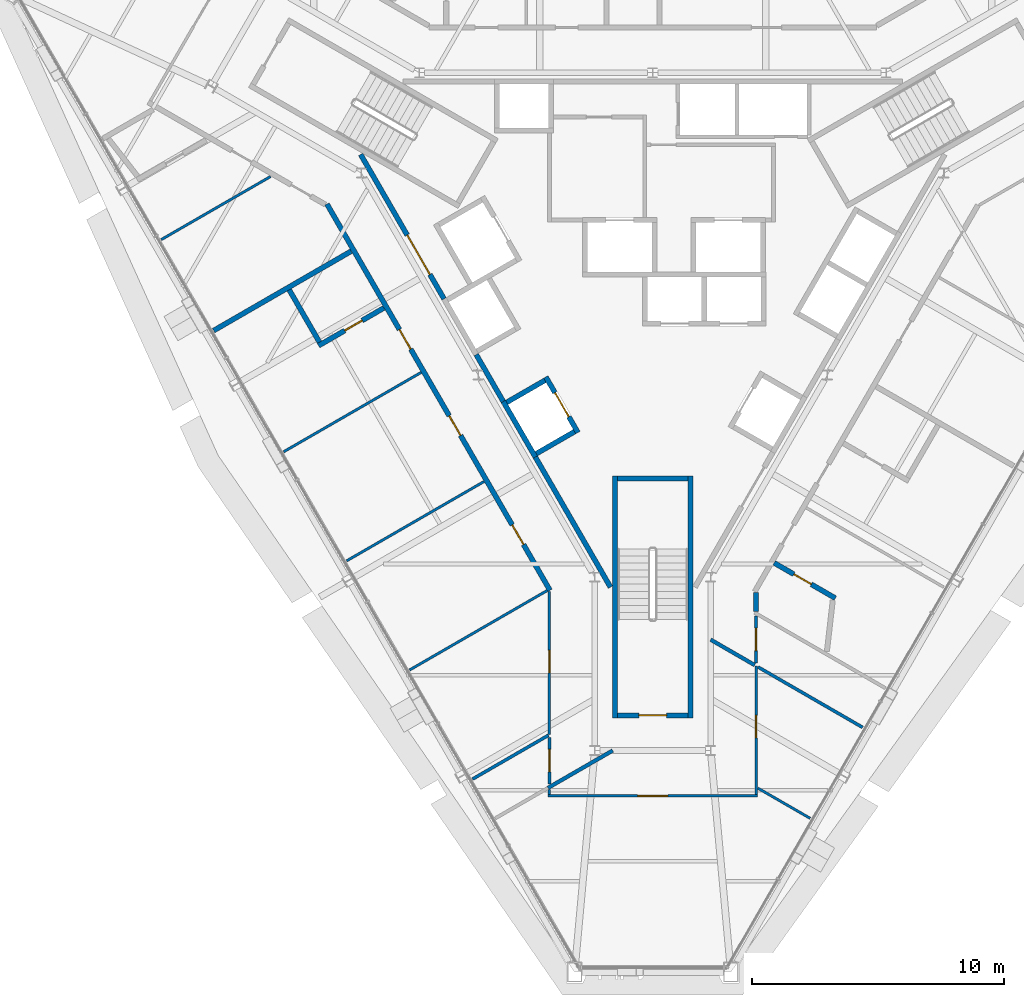
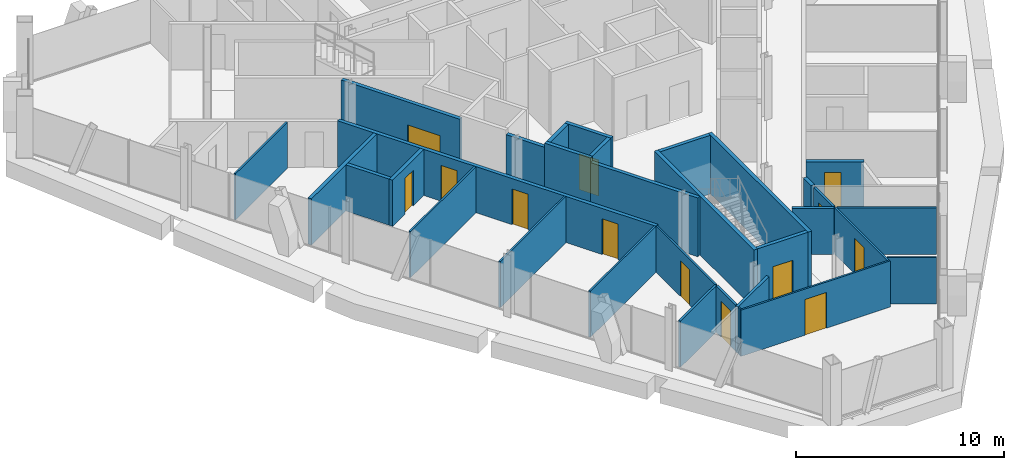
# One storey, part 11 of 16: 32 walls, 13 doors, 13 openings.
"""IFC4 building model written with IfcOpenShell, lengths in metres."""

from ifc_helpers import new_model, si_unit, direction, frame, frame_2d, origin, place, context, subcontext, project, spatial, rectangle, extrude, material, layer, layer_set, type_object, element, fill, save


model = new_model("IFC4")

# Units and contexts
model_context = context("Model", 3, precision=1e-05, world=origin(), true_north=direction((0.0, 1.0)))
body_context = subcontext(model_context, "Body", "Model", "MODEL_VIEW")
ifc_project = project(units=[si_unit("LENGTHUNIT", "METRE"), si_unit("AREAUNIT", "SQUARE_METRE"), si_unit("VOLUMEUNIT", "CUBIC_METRE"), si_unit("PLANEANGLEUNIT", "RADIAN"), si_unit("MASSUNIT", "GRAM", prefix="KILO")], contexts=[model_context])

# Site, building, storey
site_placement = place(None, origin())
site = spatial("IfcSite", under=ifc_project, at=site_placement, CompositionType="ELEMENT")
building_placement = place(site_placement, origin())
building = spatial("IfcBuilding", under=site, at=building_placement, Name="Verrane Prism Tower", CompositionType="ELEMENT")
storey_placement = place(building_placement, frame((0.0, 0.0, 239.699951171875)))
storey = spatial("IfcBuildingStorey", under=building, at=storey_placement, Name="L60", CompositionType="ELEMENT", Elevation=239.699951171875)

# Wall, opening, door
ifc_material_1 = material(Name="Gypsum board partition", Category="other")
ifc_layer_1 = layer(ifc_material_1, 0.199951171875)
ifc_layer_set_1 = layer_set([ifc_layer_1], Name="CW-200 core boundary wall 2 h")
wall_type_1 = type_object("IfcWallType", Name="CW-200 core boundary wall 2 h", PredefinedType="PARTITIONING", material=ifc_layer_set_1)
wall_1_placement = place(storey_placement, frame((-11.590576171875, 4.7548828125, 0.0), z_axis=(0.0, 0.0, 1.0), x_axis=(0.500043977787, -0.866000011708, 0.0)))
wall_1 = element("IfcWall", 1, at=wall_1_placement, inside=storey, type_object=wall_type_1, Name="Core boundary wall CW3-001", PredefinedType="PARTITIONING", context=body_context, shape_type="SweptSolid", body=[
    extrude(rectangle(XDim=6.61669921875, YDim=0.199951171875, at=frame_2d((3.308349609375, 0.0))), origin(), (0.0, 0.0, 1.0), 3.449951171875),
])
opening_1_placement = place(wall_1_placement, frame((3.695068359375, 0.0, 0.0)))
opening_1 = element("IfcOpeningElement", 2, at=opening_1_placement, cuts=wall_1, Name="Opening D59510", PredefinedType="OPENING", context=body_context, shape_type="SweptSolid", body=[
    extrude(rectangle(XDim=1.800048828125, YDim=2.10009765625, at=frame_2d((0.89990234375, 1.050048828125))), frame((0.0, 0.10986328125, 0.0), z_axis=(0.0, -1.0, 0.0), x_axis=(1.0, 0.0, 0.0)), (0.0, 0.0, 1.0), 0.219970703125),
])
ifc_material_2 = material(Name="Timber veneered door leaf", Category="wood")
door_type_1 = type_object("IfcDoorType", Name="DR-1800x2100 FD60 double leaf lift lobby", OperationType="NOTDEFINED", PredefinedType="DOOR", material=ifc_material_2)
door_1_placement = place(opening_1_placement, origin())
door_1 = element("IfcDoor", 3, at=door_1_placement, inside=storey, type_object=door_type_1, Name="Lift lobby door D59510", OperationType="DOUBLE_DOOR_SINGLE_SWING", OverallHeight=2.10009765625, OverallWidth=1.800048828125, PredefinedType="DOOR", context=body_context, shape_type="SweptSolid", body=[
    extrude(rectangle(XDim=1.800048828125, YDim=2.10009765625, at=frame_2d((0.89990234375, 1.050048828125))), frame((0.0, 0.02490234375, 0.0), z_axis=(0.0, -1.0, 0.0), x_axis=(1.0, 0.0, 0.0)), (0.0, 0.0, 1.0), 0.050048828125),
])
fill(opening_1, door_1)

# Walls
wall_2_placement = place(storey_placement, frame((-7.0048828125, -3.18701171875, 0.0), z_axis=(0.0, 0.0, 1.0), x_axis=(0.499689606989, -0.866204535123, 0.0)))
element("IfcWall", 4, at=wall_2_placement, inside=storey, type_object=wall_type_1, Name="Core boundary wall CW3-003", PredefinedType="PARTITIONING", context=body_context, shape_type="SweptSolid", body=[
    extrude(rectangle(XDim=2.144775390625, YDim=0.199951171875, at=frame_2d((1.072265625, 0.0))), origin(), (0.0, 0.0, 1.0), 3.449951171875),
])
wall_3_placement = place(storey_placement, frame((-4.655029296875, -7.257080078125, 0.0), z_axis=(0.0, 0.0, 1.0), x_axis=(0.499966124405, -0.866044960985, 0.0)))
element("IfcWall", 5, at=wall_3_placement, inside=storey, type_object=wall_type_1, Name="Core boundary wall CW3-004", PredefinedType="PARTITIONING", context=body_context, shape_type="SweptSolid", body=[
    extrude(rectangle(XDim=5.95556640625, YDim=0.199951171875, at=frame_2d((2.977783203125, 0.0))), origin(), (0.0, 0.0, 1.0), 3.449951171875),
])

# Wall, opening, door
ifc_material_3 = material(Name="Concrete C40/50", Category="concrete")
ifc_layer_2 = layer(ifc_material_3, 0.199951171875)
ifc_layer_set_2 = layer_set([ifc_layer_2], Name="CW-200 stair core wall concrete C40/50 3 h")
wall_type_2 = type_object("IfcWallType", Name="CW-200 stair core wall concrete C40/50 3 h", PredefinedType="PARTITIONING", material=ifc_layer_set_2)
wall_4_placement = place(storey_placement, frame((-1.39990234375, -17.5, 0.0), z_axis=(0.0, 0.0, 1.0), x_axis=(1.0, 0.0, 0.0)))
wall_4 = element("IfcWall", 6, at=wall_4_placement, inside=storey, type_object=wall_type_2, Name="Stair 3 enclosure wall", PredefinedType="PARTITIONING", context=body_context, shape_type="SweptSolid", body=[
    extrude(rectangle(XDim=2.7998046875, YDim=0.199951171875, at=frame_2d((1.39990234375, 0.0))), origin(), (0.0, 0.0, 1.0), 3.449951171875),
])
opening_2_placement = place(wall_4_placement, frame((0.85009765625, 0.0, 0.0)))
opening_2 = element("IfcOpeningElement", 7, at=opening_2_placement, cuts=wall_4, Name="Opening D59502", PredefinedType="OPENING", context=body_context, shape_type="SweptSolid", body=[
    extrude(rectangle(XDim=1.10009765625, YDim=2.10009765625, at=frame_2d((0.550048828125, 1.050048828125))), frame((0.0, 0.10986328125, 0.0), z_axis=(0.0, -1.0, 0.0), x_axis=(1.0, 0.0, 0.0)), (0.0, 0.0, 1.0), 0.219970703125),
])
ifc_material_4 = material(Name="Timber veneered door leaf", Category="wood")
door_type_2 = type_object("IfcDoorType", Name="DR-1100x2100 FD90 single leaf stair", OperationType="NOTDEFINED", PredefinedType="DOOR", material=ifc_material_4)
door_2_placement = place(opening_2_placement, origin())
door_2 = element("IfcDoor", 8, at=door_2_placement, inside=storey, type_object=door_type_2, Name="Stair 3 door", OperationType="SINGLE_SWING_LEFT", OverallHeight=2.10009765625, OverallWidth=1.10009765625, PredefinedType="DOOR", context=body_context, shape_type="SweptSolid", body=[
    extrude(rectangle(XDim=1.10009765625, YDim=2.10009765625, at=frame_2d((0.550048828125, 1.050048828125))), frame((0.0, 0.02490234375, 0.0), z_axis=(0.0, -1.0, 0.0), x_axis=(1.0, 0.0, 0.0)), (0.0, 0.0, 1.0), 0.050048828125),
])
fill(opening_2, door_2)

# Walls
for number, where, z_axis, x_axis, name in (
    (9, (1.5, -8.0, 0.0), (0.0, 0.0, 1.0), (0.0, -1.0, 0.0), "Stair 3 enclosure wall"),
    (10, (-1.5, -8.0, 0.0), (0.0, 0.0, 1.0), (0.0, -1.0, 0.0), "Stair 3 enclosure wall"),
):
    element("IfcWall", number, at=place(storey_placement, frame(where, z_axis=z_axis, x_axis=x_axis)), inside=storey, type_object=wall_type_2, Name=name, PredefinedType="PARTITIONING", context=body_context, shape_type="SweptSolid", body=[
        extrude(rectangle(XDim=9.60009765625, YDim=0.199951171875, at=frame_2d((4.800048828125, 0.0))), origin(), (0.0, 0.0, 1.0), 3.449951171875),
    ])
wall_5_placement = place(storey_placement, frame((-1.39990234375, -8.10009765625, 0.0), z_axis=(0.0, 0.0, 1.0), x_axis=(1.0, 0.0, 0.0)))
element("IfcWall", 11, at=wall_5_placement, inside=storey, type_object=wall_type_2, Name="Stair 3 enclosure wall", PredefinedType="PARTITIONING", context=body_context, shape_type="SweptSolid", body=[
    extrude(rectangle(XDim=2.7998046875, YDim=0.199951171875, at=frame_2d((1.39990234375, 0.0))), origin(), (0.0, 0.0, 1.0), 3.449951171875),
])
ifc_material_5 = material(Name="Gypsum board shaft wall assembly", Category="other")
ifc_layer_3 = layer(ifc_material_5, 0.199951171875)
ifc_layer_set_3 = layer_set([ifc_layer_3], Name="HW-200 lift shaft wall 2 h")
wall_type_3 = type_object("IfcWallType", Name="HW-200 lift shaft wall 2 h", PredefinedType="PARTITIONING", material=ifc_layer_set_3)
for number, where, z_axis, x_axis, name in (
    (12, (-4.61962890625, -7.118408203125, 0.0), (0.0, 0.0, 1.0), (0.866036909293, 0.499980071345, 0.0), "Lift shaft wall"),
    (13, (-5.794677734375, -5.083251953125, 0.0), (0.0, 0.0, 1.0), (0.866036909293, 0.499980071345, 0.0), "Lift shaft wall"),
):
    element("IfcWall", number, at=place(storey_placement, frame(where, z_axis=z_axis, x_axis=x_axis)), inside=storey, type_object=wall_type_3, Name=name, PredefinedType="PARTITIONING", context=body_context, shape_type="SweptSolid", body=[
        extrude(rectangle(XDim=1.75, YDim=0.199951171875, at=frame_2d((0.875, 0.0))), origin(), (0.0, 0.0, 1.0), 3.699951171875),
    ])

# Wall, opening, door
wall_6_placement = place(storey_placement, frame((-2.967529296875, -6.280029296875, 0.0), z_axis=(0.0, 0.0, 1.0), x_axis=(-0.499990435942, 0.866030925526, 0.0)))
wall_6 = element("IfcWall", 14, at=wall_6_placement, inside=storey, type_object=wall_type_3, Name="Lift shaft wall", PredefinedType="PARTITIONING", context=body_context, shape_type="SweptSolid", body=[
    extrude(rectangle(XDim=2.5498046875, YDim=0.199951171875, at=frame_2d((1.27490234375, 0.0))), origin(), (0.0, 0.0, 1.0), 3.699951171875),
])
opening_3_placement = place(wall_6_placement, frame((0.72509765625, 0.0, 0.0)))
opening_3 = element("IfcOpeningElement", 15, at=opening_3_placement, cuts=wall_6, Name="Opening D59506", PredefinedType="OPENING", context=body_context, shape_type="SweptSolid", body=[
    extrude(rectangle(XDim=1.10009765625, YDim=2.10009765625, at=frame_2d((0.550048828125, 1.050048828125))), frame((0.0, 0.10986328125, 0.0), z_axis=(0.0, -1.0, 0.0), x_axis=(1.0, 0.0, 0.0)), (0.0, 0.0, 1.0), 0.219970703125),
])
ifc_material_6 = material(Name="Stainless steel sliding landing door", Category="steel")
door_type_3 = type_object("IfcDoorType", Name="LD-1100x2100 lift landing door FD90 sliding", OperationType="NOTDEFINED", PredefinedType="DOOR", material=ifc_material_6)
door_3_placement = place(opening_3_placement, origin())
door_3 = element("IfcDoor", 16, at=door_3_placement, inside=storey, type_object=door_type_3, Name="Bank B lift 4 landing door", OperationType="SLIDING_TO_RIGHT", OverallHeight=2.10009765625, OverallWidth=1.10009765625, PredefinedType="DOOR", context=body_context, shape_type="SweptSolid", body=[
    extrude(rectangle(XDim=1.10009765625, YDim=2.10009765625, at=frame_2d((0.550048828125, 1.050048828125))), frame((0.0, 0.02490234375, 0.0), z_axis=(0.0, -1.0, 0.0), x_axis=(1.0, 0.0, 0.0)), (0.0, 0.0, 1.0), 0.050048828125),
])
fill(opening_3, door_3)

# Walls
wall_7_placement = place(storey_placement, frame((-4.65625, -7.255126953125, 0.0), z_axis=(0.0, 0.0, 1.0), x_axis=(-0.499990435942, 0.866030925526, 0.0)))
element("IfcWall", 17, at=wall_7_placement, inside=storey, type_object=wall_type_3, Name="Lift shaft wall", PredefinedType="PARTITIONING", context=body_context, shape_type="SweptSolid", body=[
    extrude(rectangle(XDim=2.5498046875, YDim=0.199951171875, at=frame_2d((1.27490234375, 0.0))), origin(), (0.0, 0.0, 1.0), 3.699951171875),
])
ifc_material_7 = material(Name="Gypsum board partition", Category="other")
ifc_layer_4 = layer(ifc_material_7, 0.10009765625)
ifc_layer_set_4 = layer_set([ifc_layer_4], Name="PW-100 room partition")
wall_type_4 = type_object("IfcWallType", Name="PW-100 room partition", PredefinedType="PARTITIONING", material=ifc_layer_set_4)
wall_8_placement = place(storey_placement, frame((-19.506591796875, 1.375244140625, 0.0), z_axis=(0.0, 0.0, 1.0), x_axis=(0.86604843891, 0.499960099869, 0.0)))
element("IfcWall", 18, at=wall_8_placement, inside=storey, type_object=wall_type_4, Name="Room partition 006", PredefinedType="PARTITIONING", context=body_context, shape_type="SweptSolid", body=[
    extrude(rectangle(XDim=5.009765625, YDim=0.10009765625, at=frame_2d((2.5048828125, 0.0))), origin(), (0.0, 0.0, 1.0), 2.713134765625),
])
wall_9_placement = place(storey_placement, frame((-14.646484375, -7.042724609375, 0.0), z_axis=(0.0, 0.0, 1.0), x_axis=(0.866066838318, 0.499928226415, 0.0)))
element("IfcWall", 19, at=wall_9_placement, inside=storey, type_object=wall_type_4, Name="Room partition 010", PredefinedType="PARTITIONING", context=body_context, shape_type="SweptSolid", body=[
    extrude(rectangle(XDim=6.29931640625, YDim=0.10009765625, at=frame_2d((3.149658203125, 0.0))), origin(), (0.0, 0.0, 1.0), 2.713134765625),
])
wall_10_placement = place(storey_placement, frame((-12.14697265625, -11.3720703125, 0.0), z_axis=(0.0, 0.0, 1.0), x_axis=(0.866013897511, 0.50001992892, 0.0)))
element("IfcWall", 20, at=wall_10_placement, inside=storey, type_object=wall_type_4, Name="Room partition 016", PredefinedType="PARTITIONING", context=body_context, shape_type="SweptSolid", body=[
    extrude(rectangle(XDim=6.299072265625, YDim=0.10009765625, at=frame_2d((3.1494140625, 0.0))), origin(), (0.0, 0.0, 1.0), 2.713134765625),
])
wall_11_placement = place(storey_placement, frame((-9.64697265625, -15.7021484375, 0.0), z_axis=(0.0, 0.0, 1.0), x_axis=(0.865981749158, 0.500075604409, 0.0)))
element("IfcWall", 21, at=wall_11_placement, inside=storey, type_object=wall_type_4, Name="Room partition 019", PredefinedType="PARTITIONING", context=body_context, shape_type="SweptSolid", body=[
    extrude(rectangle(XDim=6.30322265625, YDim=0.10009765625, at=frame_2d((3.151611328125, 0.0))), origin(), (0.0, 0.0, 1.0), 2.713134765625),
])
wall_12_placement = place(storey_placement, frame((-4.10009765625, -20.64990234375, 0.0), z_axis=(0.0, 0.0, 1.0), x_axis=(0.0, 1.0, 0.0)))
element("IfcWall", 22, at=wall_12_placement, inside=storey, type_object=wall_type_4, Name="Room partition 025", PredefinedType="PARTITIONING", context=body_context, shape_type="SweptSolid", body=[
    extrude(rectangle(XDim=0.199951171875, YDim=0.10009765625, at=frame_2d((0.10009765625, 0.0))), origin(), (0.0, 0.0, 1.0), 2.713134765625),
])

# Wall, opening, door
wall_13_placement = place(storey_placement, frame((4.14990234375, -20.699951171875, 0.0), z_axis=(0.0, 0.0, 1.0), x_axis=(-1.0, 0.0, 0.0)))
wall_13 = element("IfcWall", 23, at=wall_13_placement, inside=storey, type_object=wall_type_4, Name="Room partition 026", PredefinedType="PARTITIONING", context=body_context, shape_type="SweptSolid", body=[
    extrude(rectangle(XDim=8.2998046875, YDim=0.10009765625, at=frame_2d((4.14990234375, 0.0))), origin(), (0.0, 0.0, 1.0), 2.713134765625),
])
opening_4_placement = place(wall_13_placement, frame((3.550048828125, 0.0, 0.0)))
opening_4 = element("IfcOpeningElement", 24, at=opening_4_placement, cuts=wall_13, Name="Opening D59020", PredefinedType="OPENING", context=body_context, shape_type="SweptSolid", body=[
    extrude(rectangle(XDim=1.199951171875, YDim=2.10009765625, at=frame_2d((0.60009765625, 1.050048828125))), frame((0.0, 0.06005859375, 0.0), z_axis=(0.0, -1.0, 0.0), x_axis=(1.0, 0.0, 0.0)), (0.0, 0.0, 1.0), 0.1201171875),
])
ifc_material_8 = material(Name="Timber veneered door leaf", Category="wood")
door_type_4 = type_object("IfcDoorType", Name="DR-1200x2100 single leaf unit", OperationType="NOTDEFINED", PredefinedType="DOOR", material=ifc_material_8)
door_4_placement = place(opening_4_placement, origin())
door_4 = element("IfcDoor", 25, at=door_4_placement, inside=storey, type_object=door_type_4, Name="Living And Dining Room door", OperationType="SINGLE_SWING_LEFT", OverallHeight=2.10009765625, OverallWidth=1.199951171875, PredefinedType="DOOR", context=body_context, shape_type="SweptSolid", body=[
    extrude(rectangle(XDim=1.199951171875, YDim=2.10009765625, at=frame_2d((0.60009765625, 1.050048828125))), frame((0.0, 0.02490234375, 0.0), z_axis=(0.0, -1.0, 0.0), x_axis=(1.0, 0.0, 0.0)), (0.0, 0.0, 1.0), 0.050048828125),
])
fill(opening_4, door_4)

wall_14_placement = place(storey_placement, frame((-4.10009765625, -18.27099609375, 0.0), z_axis=(0.0, 0.0, 1.0), x_axis=(0.0, 1.0, 0.0)))
wall_14 = element("IfcWall", 26, at=wall_14_placement, inside=storey, type_object=wall_type_4, Name="Room partition 029", PredefinedType="PARTITIONING", context=body_context, shape_type="SweptSolid", body=[
    extrude(rectangle(XDim=5.68408203125, YDim=0.10009765625, at=frame_2d((2.842041015625, 0.0))), origin(), (0.0, 0.0, 1.0), 2.713134765625),
])
opening_5_placement = place(wall_14_placement, frame((2.449951171875, 0.0, 0.0)))
opening_5 = element("IfcOpeningElement", 27, at=opening_5_placement, cuts=wall_14, Name="Opening D59019", PredefinedType="OPENING", context=body_context, shape_type="SweptSolid", body=[
    extrude(rectangle(XDim=0.89990234375, YDim=2.10009765625, at=frame_2d((0.449951171875, 1.050048828125))), frame((0.0, 0.06005859375, 0.0), z_axis=(0.0, -1.0, 0.0), x_axis=(1.0, 0.0, 0.0)), (0.0, 0.0, 1.0), 0.1201171875),
])
ifc_material_9 = material(Name="Timber veneered door leaf", Category="wood")
door_type_5 = type_object("IfcDoorType", Name="DR-900x2100 single leaf unit", OperationType="NOTDEFINED", PredefinedType="DOOR", material=ifc_material_9)
door_5_placement = place(opening_5_placement, origin())
door_5 = element("IfcDoor", 28, at=door_5_placement, inside=storey, type_object=door_type_5, Name="Study door", OperationType="SINGLE_SWING_LEFT", OverallHeight=2.10009765625, OverallWidth=0.89990234375, PredefinedType="DOOR", context=body_context, shape_type="SweptSolid", body=[
    extrude(rectangle(XDim=0.89990234375, YDim=2.10009765625, at=frame_2d((0.449951171875, 1.050048828125))), frame((0.0, 0.02490234375, 0.0), z_axis=(0.0, -1.0, 0.0), x_axis=(1.0, 0.0, 0.0)), (0.0, 0.0, 1.0), 0.050048828125),
])
fill(opening_5, door_5)

wall_15_placement = place(storey_placement, frame((4.10009765625, -15.5390625, 0.0), z_axis=(0.0, 0.0, 1.0), x_axis=(0.0, -1.0, 0.0)))
wall_15 = element("IfcWall", 29, at=wall_15_placement, inside=storey, type_object=wall_type_4, Name="Room partition 034", PredefinedType="PARTITIONING", context=body_context, shape_type="SweptSolid", body=[
    extrude(rectangle(XDim=5.11083984375, YDim=0.10009765625, at=frame_2d((2.555419921875, 0.0))), origin(), (0.0, 0.0, 1.0), 2.713134765625),
])
opening_6_placement = place(wall_15_placement, frame((1.9609375, 0.0, 0.0)))
opening_6 = element("IfcOpeningElement", 30, at=opening_6_placement, cuts=wall_15, Name="Opening D59021", PredefinedType="OPENING", context=body_context, shape_type="SweptSolid", body=[
    extrude(rectangle(XDim=0.89990234375, YDim=2.10009765625, at=frame_2d((0.449951171875, 1.050048828125))), frame((0.0, 0.06005859375, 0.0), z_axis=(0.0, -1.0, 0.0), x_axis=(1.0, 0.0, 0.0)), (0.0, 0.0, 1.0), 0.1201171875),
])
door_6_placement = place(opening_6_placement, origin())
door_6 = element("IfcDoor", 31, at=door_6_placement, inside=storey, type_object=door_type_5, Name="Kitchen door", OperationType="SINGLE_SWING_RIGHT", OverallHeight=2.10009765625, OverallWidth=0.89990234375, PredefinedType="DOOR", context=body_context, shape_type="SweptSolid", body=[
    extrude(rectangle(XDim=0.89990234375, YDim=2.10009765625, at=frame_2d((0.449951171875, 1.050048828125))), frame((0.0, 0.02490234375, 0.0), z_axis=(0.0, -1.0, 0.0), x_axis=(1.0, 0.0, 0.0)), (0.0, 0.0, 1.0), 0.050048828125),
])
fill(opening_6, door_6)

# Walls
wall_16_placement = place(storey_placement, frame((4.175048828125, -20.393310546875, 0.0), z_axis=(0.0, 0.0, 1.0), x_axis=(0.866030989016, -0.499990325971, 0.0)))
element("IfcWall", 32, at=wall_16_placement, inside=storey, type_object=wall_type_4, Name="Room partition 035", PredefinedType="PARTITIONING", context=body_context, shape_type="SweptSolid", body=[
    extrude(rectangle(XDim=2.39306640625, YDim=0.10009765625, at=frame_2d((1.196533203125, 0.0))), origin(), (0.0, 0.0, 1.0), 2.713134765625),
])
ifc_material_10 = material(Name="Gypsum board partition", Category="other")
ifc_layer_5 = layer(ifc_material_10, 0.125)
ifc_layer_set_5 = layer_set([ifc_layer_5], Name="PW-125 corridor wall 1 h")
wall_type_5 = type_object("IfcWallType", Name="PW-125 corridor wall 1 h", PredefinedType="PARTITIONING", material=ifc_layer_set_5)
wall_17_placement = place(storey_placement, frame((-7.147705078125, -20.031005859375, 0.0), z_axis=(0.0, 0.0, 1.0), x_axis=(0.865978603381, 0.500081051916, 0.0)))
element("IfcWall", 33, at=wall_17_placement, inside=storey, type_object=wall_type_5, Name="Corridor wall 022", PredefinedType="PARTITIONING", context=body_context, shape_type="SweptSolid", body=[
    extrude(rectangle(XDim=3.47705078125, YDim=0.125, at=frame_2d((1.738525390625, 0.0))), origin(), (0.0, 0.0, 1.0), 2.713134765625),
])

# Wall, opening, door
wall_18_placement = place(storey_placement, frame((-4.10009765625, -18.3759765625, 0.0), z_axis=(0.0, 0.0, 1.0), x_axis=(0.0, -1.0, 0.0)))
wall_18 = element("IfcWall", 34, at=wall_18_placement, inside=storey, type_object=wall_type_5, Name="Corridor wall 027", PredefinedType="PARTITIONING", context=body_context, shape_type="SweptSolid", body=[
    extrude(rectangle(XDim=1.85400390625, YDim=0.125, at=frame_2d((0.927001953125, 0.0))), origin(), (0.0, 0.0, 1.0), 2.713134765625),
])
opening_7_placement = place(wall_18_placement, frame((0.47412109375, 0.0, 0.0)))
opening_7 = element("IfcOpeningElement", 35, at=opening_7_placement, cuts=wall_18, Name="Opening D59029", PredefinedType="OPENING", context=body_context, shape_type="SweptSolid", body=[
    extrude(rectangle(XDim=0.89990234375, YDim=2.10009765625, at=frame_2d((0.449951171875, 1.050048828125))), frame((0.0, 0.072509765625, 0.0), z_axis=(0.0, -1.0, 0.0), x_axis=(1.0, 0.0, 0.0)), (0.0, 0.0, 1.0), 0.14501953125),
])
ifc_material_11 = material(Name="Timber veneered door leaf", Category="wood")
door_type_6 = type_object("IfcDoorType", Name="DR-900x2100 FD20 single leaf unit", OperationType="NOTDEFINED", PredefinedType="DOOR", material=ifc_material_11)
door_7_placement = place(opening_7_placement, origin())
door_7 = element("IfcDoor", 36, at=door_7_placement, inside=storey, type_object=door_type_6, Name="Entrance Hall door", OperationType="SINGLE_SWING_RIGHT", OverallHeight=2.10009765625, OverallWidth=0.89990234375, PredefinedType="DOOR", context=body_context, shape_type="SweptSolid", body=[
    extrude(rectangle(XDim=0.89990234375, YDim=2.10009765625, at=frame_2d((0.449951171875, 1.050048828125))), frame((0.0, 0.02490234375, 0.0), z_axis=(0.0, -1.0, 0.0), x_axis=(1.0, 0.0, 0.0)), (0.0, 0.0, 1.0), 0.050048828125),
])
fill(opening_7, door_7)

wall_19_placement = place(storey_placement, frame((4.10009765625, -15.4189453125, 0.0), z_axis=(0.0, 0.0, 1.0), x_axis=(0.0, 1.0, 0.0)))
wall_19 = element("IfcWall", 37, at=wall_19_placement, inside=storey, type_object=wall_type_5, Name="Corridor wall 036", PredefinedType="PARTITIONING", context=body_context, shape_type="SweptSolid", body=[
    extrude(rectangle(XDim=1.85302734375, YDim=0.125, at=frame_2d((0.926513671875, 0.0))), origin(), (0.0, 0.0, 1.0), 2.713134765625),
])
opening_8_placement = place(wall_19_placement, frame((0.47998046875, 0.0, 0.0)))
opening_8 = element("IfcOpeningElement", 38, at=opening_8_placement, cuts=wall_19, Name="Opening D59030", PredefinedType="OPENING", context=body_context, shape_type="SweptSolid", body=[
    extrude(rectangle(XDim=0.89990234375, YDim=2.10009765625, at=frame_2d((0.449951171875, 1.050048828125))), frame((0.0, 0.072509765625, 0.0), z_axis=(0.0, -1.0, 0.0), x_axis=(1.0, 0.0, 0.0)), (0.0, 0.0, 1.0), 0.14501953125),
])
door_8_placement = place(opening_8_placement, origin())
door_8 = element("IfcDoor", 39, at=door_8_placement, inside=storey, type_object=door_type_6, Name="Entrance Hall door", OperationType="SINGLE_SWING_RIGHT", OverallHeight=2.10009765625, OverallWidth=0.89990234375, PredefinedType="DOOR", context=body_context, shape_type="SweptSolid", body=[
    extrude(rectangle(XDim=0.89990234375, YDim=2.10009765625, at=frame_2d((0.449951171875, 1.050048828125))), frame((0.0, 0.02490234375, 0.0), z_axis=(0.0, -1.0, 0.0), x_axis=(1.0, 0.0, 0.0)), (0.0, 0.0, 1.0), 0.050048828125),
])
fill(opening_8, door_8)

# Walls
wall_20_placement = place(storey_placement, frame((4.18017578125, -15.585205078125, 0.0), z_axis=(0.0, 0.0, 1.0), x_axis=(0.865980282967, -0.500078143405, 0.0)))
element("IfcWall", 40, at=wall_20_placement, inside=storey, type_object=wall_type_5, Name="Corridor wall 037", PredefinedType="PARTITIONING", context=body_context, shape_type="SweptSolid", body=[
    extrude(rectangle(XDim=4.792724609375, YDim=0.125, at=frame_2d((2.396484375, 0.0))), origin(), (0.0, 0.0, 1.0), 2.713134765625),
])
ifc_material_12 = material(Name="Gypsum board partition", Category="other")
ifc_layer_6 = layer(ifc_material_12, 0.14990234375)
ifc_layer_set_6 = layer_set([ifc_layer_6], Name="PW-150 demising wall 1 h")
wall_type_6 = type_object("IfcWallType", Name="PW-150 demising wall 1 h", PredefinedType="PARTITIONING", material=ifc_layer_set_6)
wall_21_placement = place(storey_placement, frame((-4.154052734375, -20.38134765625, 0.0), z_axis=(0.0, 0.0, 1.0), x_axis=(0.86594123094, 0.500145763311, 0.0)))
element("IfcWall", 41, at=wall_21_placement, inside=storey, type_object=wall_type_6, Name="Demising wall 028", PredefinedType="PARTITIONING", context=body_context, shape_type="SweptSolid", body=[
    extrude(rectangle(XDim=2.9619140625, YDim=0.14990234375, at=frame_2d((1.48095703125, 0.0))), origin(), (0.0, 0.0, 1.0), 2.713134765625),
])
wall_22_placement = place(storey_placement, frame((2.300048828125, -14.5, 0.0), z_axis=(0.0, 0.0, 1.0), x_axis=(0.866058533568, -0.499942613141, 0.0)))
element("IfcWall", 42, at=wall_22_placement, inside=storey, type_object=wall_type_6, Name="Demising wall 033", PredefinedType="PARTITIONING", context=body_context, shape_type="SweptSolid", body=[
    extrude(rectangle(XDim=2.015869140625, YDim=0.14990234375, at=frame_2d((1.0078125, 0.0))), origin(), (0.0, 0.0, 1.0), 2.713134765625),
])
ifc_material_13 = material(Name="Gypsum board partition", Category="other")
ifc_layer_7 = layer(ifc_material_13, 0.199951171875)
ifc_layer_set_7 = layer_set([ifc_layer_7], Name="PW-200 plumbing wall")
wall_type_7 = type_object("IfcWallType", Name="PW-200 plumbing wall", PredefinedType="PARTITIONING", material=ifc_layer_set_7)
wall_23_placement = place(storey_placement, frame((-17.42333984375, -2.23291015625, 0.0), z_axis=(0.0, 0.0, 1.0), x_axis=(0.866040369504, 0.499974077718, 0.0)))
element("IfcWall", 43, at=wall_23_placement, inside=storey, type_object=wall_type_7, Name="Plumbing wall 007", PredefinedType="PARTITIONING", context=body_context, shape_type="SweptSolid", body=[
    extrude(rectangle(XDim=6.299072265625, YDim=0.199951171875, at=frame_2d((3.1494140625, 0.0))), origin(), (0.0, 0.0, 1.0), 2.713134765625),
])
wall_24_placement = place(storey_placement, frame((-14.425048828125, -0.61767578125, 0.0), z_axis=(0.0, 0.0, 1.0), x_axis=(0.500133489192, -0.865948320045, 0.0)))
element("IfcWall", 44, at=wall_24_placement, inside=storey, type_object=wall_type_7, Name="Plumbing wall 011", PredefinedType="PARTITIONING", context=body_context, shape_type="SweptSolid", body=[
    extrude(rectangle(XDim=2.399169921875, YDim=0.199951171875, at=frame_2d((1.19970703125, 0.0))), origin(), (0.0, 0.0, 1.0), 2.713134765625),
])

# Wall, opening, door
wall_25_placement = place(storey_placement, frame((-13.26171875, -2.83203125, 0.0), z_axis=(0.0, 0.0, 1.0), x_axis=(0.86601725921, 0.500014106551, 0.0)))
wall_25 = element("IfcWall", 45, at=wall_25_placement, inside=storey, type_object=wall_type_7, Name="Plumbing wall 012", PredefinedType="PARTITIONING", context=body_context, shape_type="SweptSolid", body=[
    extrude(rectangle(XDim=2.9951171875, YDim=0.199951171875, at=frame_2d((1.49755859375, 0.0))), origin(), (0.0, 0.0, 1.0), 2.713134765625),
])
opening_9_placement = place(wall_25_placement, frame((1.199951171875, 0.0, 0.0)))
opening_9 = element("IfcOpeningElement", 46, at=opening_9_placement, cuts=wall_25, Name="Opening D59016", PredefinedType="OPENING", context=body_context, shape_type="SweptSolid", body=[
    extrude(rectangle(XDim=0.800048828125, YDim=2.10009765625, at=frame_2d((0.39990234375, 1.050048828125))), frame((0.0, 0.10986328125, 0.0), z_axis=(0.0, -1.0, 0.0), x_axis=(1.0, 0.0, 0.0)), (0.0, 0.0, 1.0), 0.219970703125),
])
ifc_material_14 = material(Name="Timber veneered door leaf", Category="wood")
door_type_7 = type_object("IfcDoorType", Name="DR-800x2100 single leaf bath", OperationType="NOTDEFINED", PredefinedType="DOOR", material=ifc_material_14)
door_9_placement = place(opening_9_placement, origin())
door_9 = element("IfcDoor", 47, at=door_9_placement, inside=storey, type_object=door_type_7, Name="Master Bathroom door", OperationType="SINGLE_SWING_RIGHT", OverallHeight=2.10009765625, OverallWidth=0.800048828125, PredefinedType="DOOR", context=body_context, shape_type="SweptSolid", body=[
    extrude(rectangle(XDim=0.800048828125, YDim=2.10009765625, at=frame_2d((0.39990234375, 1.050048828125))), frame((0.0, 0.02490234375, 0.0), z_axis=(0.0, -1.0, 0.0), x_axis=(1.0, 0.0, 0.0)), (0.0, 0.0, 1.0), 0.050048828125),
])
fill(opening_9, door_9)

# Wall, openings, doors
wall_26_placement = place(storey_placement, frame((-4.076904296875, -12.543212890625, 0.0), z_axis=(0.0, 0.0, 1.0), x_axis=(-0.499968768298, 0.866043434665, 0.0)))
wall_26 = element("IfcWall", 48, at=wall_26_placement, inside=storey, type_object=wall_type_7, Name="Plumbing wall 013", PredefinedType="PARTITIONING", context=body_context, shape_type="SweptSolid", body=[
    extrude(rectangle(XDim=17.703369140625, YDim=0.199951171875, at=frame_2d((8.8515625, 0.0))), origin(), (0.0, 0.0, 1.0), 2.713134765625),
])
opening_10_placement = place(wall_26_placement, frame((11.05224609375, 0.0, 0.0)))
opening_10 = element("IfcOpeningElement", 49, at=opening_10_placement, cuts=wall_26, Name="Opening D59015", PredefinedType="OPENING", context=body_context, shape_type="SweptSolid", body=[
    extrude(rectangle(XDim=0.89990234375, YDim=2.10009765625, at=frame_2d((0.449951171875, 1.050048828125))), frame((0.0, 0.10986328125, 0.0), z_axis=(0.0, -1.0, 0.0), x_axis=(1.0, 0.0, 0.0)), (0.0, 0.0, 1.0), 0.219970703125),
])
opening_11_placement = place(wall_26_placement, frame((7.098388671875, 0.0, 0.0)))
opening_11 = element("IfcOpeningElement", 50, at=opening_11_placement, cuts=wall_26, Name="Opening D59017", PredefinedType="OPENING", context=body_context, shape_type="SweptSolid", body=[
    extrude(rectangle(XDim=0.89990234375, YDim=2.10009765625, at=frame_2d((0.449951171875, 1.050048828125))), frame((0.0, 0.10986328125, 0.0), z_axis=(0.0, -1.0, 0.0), x_axis=(1.0, 0.0, 0.0)), (0.0, 0.0, 1.0), 0.219970703125),
])
opening_12_placement = place(wall_26_placement, frame((2.099365234375, 0.0, 0.0)))
opening_12 = element("IfcOpeningElement", 51, at=opening_12_placement, cuts=wall_26, Name="Opening D59018", PredefinedType="OPENING", context=body_context, shape_type="SweptSolid", body=[
    extrude(rectangle(XDim=0.89990234375, YDim=2.10009765625, at=frame_2d((0.449951171875, 1.050048828125))), frame((0.0, 0.10986328125, 0.0), z_axis=(0.0, -1.0, 0.0), x_axis=(1.0, 0.0, 0.0)), (0.0, 0.0, 1.0), 0.219970703125),
])
ifc_material_15 = material(Name="Timber veneered door leaf", Category="wood")
door_type_8 = type_object("IfcDoorType", Name="DR-900x2100 single leaf inner", OperationType="NOTDEFINED", PredefinedType="DOOR", material=ifc_material_15)
door_10_placement = place(opening_10_placement, origin())
door_10 = element("IfcDoor", 52, at=door_10_placement, inside=storey, type_object=door_type_8, Name="Master Bedroom door", OperationType="SINGLE_SWING_RIGHT", OverallHeight=2.10009765625, OverallWidth=0.89990234375, PredefinedType="DOOR", context=body_context, shape_type="SweptSolid", body=[
    extrude(rectangle(XDim=0.89990234375, YDim=2.10009765625, at=frame_2d((0.449951171875, 1.050048828125))), frame((0.0, 0.02490234375, 0.0), z_axis=(0.0, -1.0, 0.0), x_axis=(1.0, 0.0, 0.0)), (0.0, 0.0, 1.0), 0.050048828125),
])
fill(opening_10, door_10)
door_11_placement = place(opening_11_placement, origin())
door_11 = element("IfcDoor", 53, at=door_11_placement, inside=storey, type_object=door_type_5, Name="Study door", OperationType="SINGLE_SWING_RIGHT", OverallHeight=2.10009765625, OverallWidth=0.89990234375, PredefinedType="DOOR", context=body_context, shape_type="SweptSolid", body=[
    extrude(rectangle(XDim=0.89990234375, YDim=2.10009765625, at=frame_2d((0.449951171875, 1.050048828125))), frame((0.0, 0.02490234375, 0.0), z_axis=(0.0, -1.0, 0.0), x_axis=(1.0, 0.0, 0.0)), (0.0, 0.0, 1.0), 0.050048828125),
])
fill(opening_11, door_11)
door_12_placement = place(opening_12_placement, origin())
door_12 = element("IfcDoor", 54, at=door_12_placement, inside=storey, type_object=door_type_5, Name="Study door", OperationType="SINGLE_SWING_LEFT", OverallHeight=2.10009765625, OverallWidth=0.89990234375, PredefinedType="DOOR", context=body_context, shape_type="SweptSolid", body=[
    extrude(rectangle(XDim=0.89990234375, YDim=2.10009765625, at=frame_2d((0.449951171875, 1.050048828125))), frame((0.0, 0.02490234375, 0.0), z_axis=(0.0, -1.0, 0.0), x_axis=(1.0, 0.0, 0.0)), (0.0, 0.0, 1.0), 0.050048828125),
])
fill(opening_12, door_12)

# Wall
wall_27_placement = place(storey_placement, frame((4.10009765625, -13.37841796875, 0.0), z_axis=(0.0, 0.0, 1.0), x_axis=(0.0, 1.0, 0.0)))
element("IfcWall", 55, at=wall_27_placement, inside=storey, type_object=wall_type_7, Name="Plumbing wall 038", PredefinedType="PARTITIONING", context=body_context, shape_type="SweptSolid", body=[
    extrude(rectangle(XDim=0.741455078125, YDim=0.199951171875, at=frame_2d((0.37060546875, 0.0))), origin(), (0.0, 0.0, 1.0), 2.713134765625),
])

# Wall, opening, door
wall_28_placement = place(storey_placement, frame((7.24658203125, -12.85302734375, 0.0), z_axis=(0.0, 0.0, 1.0), x_axis=(-0.866018616679, 0.500011755427, 0.0)))
wall_28 = element("IfcWall", 56, at=wall_28_placement, inside=storey, type_object=wall_type_7, Name="Plumbing wall 041", PredefinedType="PARTITIONING", context=body_context, shape_type="SweptSolid", body=[
    extrude(rectangle(XDim=2.80029296875, YDim=0.199951171875, at=frame_2d((1.400146484375, 0.0))), origin(), (0.0, 0.0, 1.0), 2.713134765625),
])
opening_13_placement = place(wall_28_placement, frame((1.10009765625, 0.0, 0.0)))
opening_13 = element("IfcOpeningElement", 57, at=opening_13_placement, cuts=wall_28, Name="Opening D59023", PredefinedType="OPENING", context=body_context, shape_type="SweptSolid", body=[
    extrude(rectangle(XDim=0.800048828125, YDim=2.10009765625, at=frame_2d((0.39990234375, 1.050048828125))), frame((0.0, 0.10986328125, 0.0), z_axis=(0.0, -1.0, 0.0), x_axis=(1.0, 0.0, 0.0)), (0.0, 0.0, 1.0), 0.219970703125),
])
door_13_placement = place(opening_13_placement, origin())
door_13 = element("IfcDoor", 58, at=door_13_placement, inside=storey, type_object=door_type_7, Name="Bathroom door", OperationType="SINGLE_SWING_RIGHT", OverallHeight=2.10009765625, OverallWidth=0.800048828125, PredefinedType="DOOR", context=body_context, shape_type="SweptSolid", body=[
    extrude(rectangle(XDim=0.800048828125, YDim=2.10009765625, at=frame_2d((0.39990234375, 1.050048828125))), frame((0.0, 0.02490234375, 0.0), z_axis=(0.0, -1.0, 0.0), x_axis=(1.0, 0.0, 0.0)), (0.0, 0.0, 1.0), 0.050048828125),
])
fill(opening_13, door_13)

save(model, "model.ifc")
